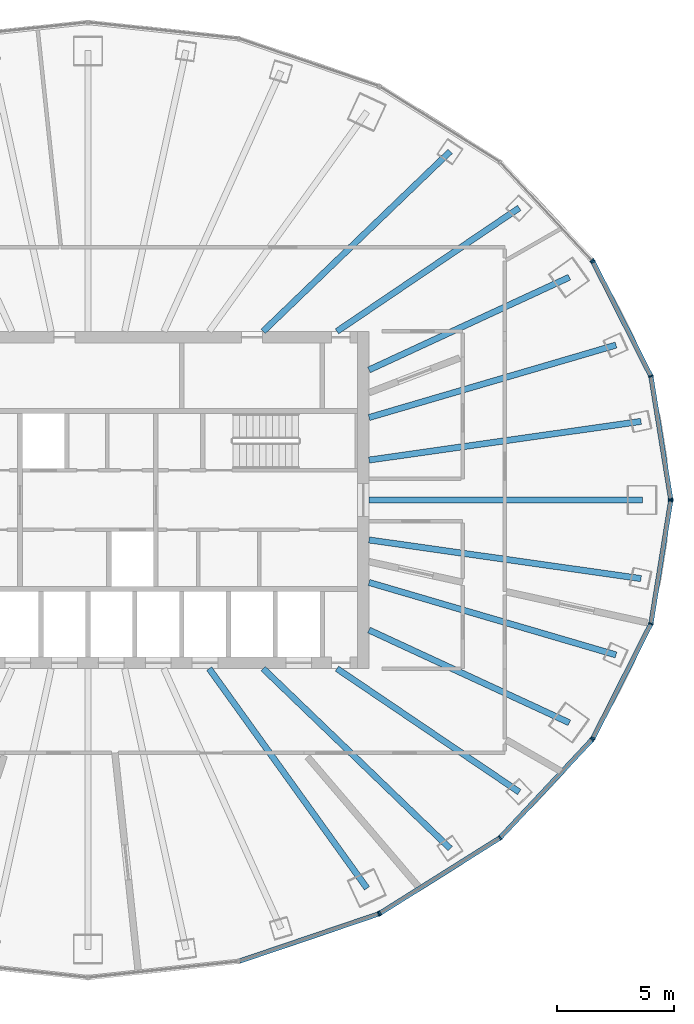
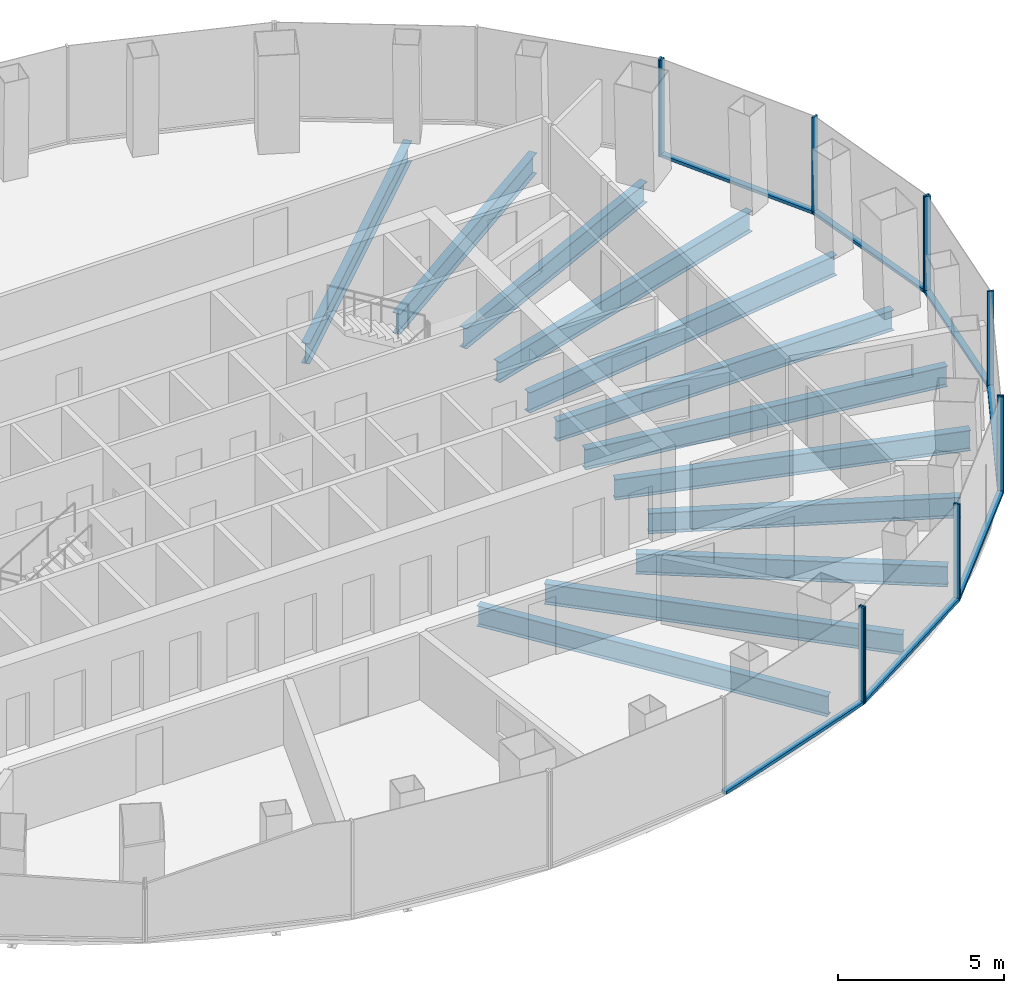
# One storey, part 4 of 12: 18 members, 12 beams, 5 elements without a shape of their own.
"""IFC4 building model written with IfcOpenShell, lengths in metres."""

from ifc_helpers import new_model, si_unit, direction, frame, origin, origin_2d, place, context, subcontext, project, spatial, rectangle, i_section, extrude, material, layer, layer_set, material_profile, profile_set, type_object, element, aggregate, save


model = new_model("IFC4")

# Units and contexts
model_context = context("Model", 3, precision=1e-05, world=origin(), true_north=direction((0.0, 1.0)))
body_context = subcontext(model_context, "Body", "Model", "MODEL_VIEW")
ifc_project = project(units=[si_unit("LENGTHUNIT", "METRE"), si_unit("AREAUNIT", "SQUARE_METRE"), si_unit("VOLUMEUNIT", "CUBIC_METRE"), si_unit("PLANEANGLEUNIT", "RADIAN"), si_unit("MASSUNIT", "GRAM", prefix="KILO")], contexts=[model_context])

# Site, building, storey
site_placement = place(None, origin())
site = spatial("IfcSite", under=ifc_project, at=site_placement, CompositionType="ELEMENT")
building_placement = place(site_placement, origin())
building = spatial("IfcBuilding", under=site, at=building_placement, Name="Siaravel Broadcast Tower", CompositionType="ELEMENT")
storey_placement = place(building_placement, frame((0.0, 0.0, 137.800048828125)))
storey = spatial("IfcBuildingStorey", under=building, at=storey_placement, Name="L33", CompositionType="ELEMENT", Elevation=137.800048828125)

# Beams
ifc_material_1 = material(Name="Steel S355", Category="steel")
ifc_material_profile_1 = material_profile(ifc_material_1, i_section(OverallWidth=0.26513671875, OverallDepth=0.75390625, WebThickness=0.0126953125, FlangeThickness=0.017578125, FilletRadius=0.0166015625, at=origin_2d()))
ifc_profile_set_1 = profile_set([ifc_material_profile_1], Name="Steel S355")
beam_type = type_object("IfcBeamType", Name="BM-UB 762x267x147", PredefinedType="BEAM", material=ifc_profile_set_1)
beam_1_placement = place(storey_placement, frame((23.6728515625, 0.0, -0.52685546875), z_axis=(-1.0, 0.0, 0.0), x_axis=(0.0, -1.0, 0.0)))
element("IfcBeam", 1, at=beam_1_placement, inside=storey, type_object=beam_type, Name="Radial beam RB01", PredefinedType="BEAM", context=body_context, shape_type="SweptSolid", body=[
    extrude(i_section(OverallWidth=0.26513671875, OverallDepth=0.75390625, WebThickness=0.0126953125, FlangeThickness=0.017578125, FilletRadius=0.0166015625, at=origin_2d()), origin(), (0.0, 0.0, 1.0), 11.6728515625),
])
beam_2_placement = place(storey_placement, frame((23.614501953125, 3.355224609375, -0.52685546875), z_axis=(-0.990057423, -0.140663782, 0.0), x_axis=(0.140663782, -0.990057423, 0.0)))
element("IfcBeam", 2, at=beam_2_placement, inside=storey, type_object=beam_type, Name="Radial beam RB02", PredefinedType="BEAM", context=body_context, shape_type="SweptSolid", body=[
    extrude(i_section(OverallWidth=0.26513671875, OverallDepth=0.75390625, WebThickness=0.0126953125, FlangeThickness=0.017578125, FilletRadius=0.0166015625, at=origin_2d()), origin(), (0.0, 0.0, 1.0), 11.731201171875),
])
beam_3_placement = place(storey_placement, frame((22.5478515625, 6.615478515625, -0.52685546875), z_axis=(-0.959552024, -0.281531373, 0.0), x_axis=(0.281531373, -0.959552024, 0.0)))
element("IfcBeam", 3, at=beam_3_placement, inside=storey, type_object=beam_type, Name="Radial beam RB03", PredefinedType="BEAM", context=body_context, shape_type="SweptSolid", body=[
    extrude(i_section(OverallWidth=0.26513671875, OverallDepth=0.75390625, WebThickness=0.0126953125, FlangeThickness=0.017578125, FilletRadius=0.0166015625, at=origin_2d()), origin(), (0.0, 0.0, 1.0), 10.992431640625),
])
beam_4_placement = place(storey_placement, frame((20.554931640625, 9.51220703125, -0.52685546875), z_axis=(-0.907532906, -0.419980982, 0.0), x_axis=(0.419980982, -0.907532906, 0.0)))
element("IfcBeam", 4, at=beam_4_placement, inside=storey, type_object=beam_type, Name="Radial beam RB04", PredefinedType="BEAM", context=body_context, shape_type="SweptSolid", body=[
    extrude(i_section(OverallWidth=0.26513671875, OverallDepth=0.75390625, WebThickness=0.0126953125, FlangeThickness=0.017578125, FilletRadius=0.0166015625, at=origin_2d()), origin(), (0.0, 0.0, 1.0), 9.426513671875),
])
beam_5_placement = place(storey_placement, frame((18.418212890625, 12.470947265625, -0.52685546875), z_axis=(-0.828033424, -0.56067874, 0.0), x_axis=(0.56067874, -0.828033424, 0.0)))
element("IfcBeam", 5, at=beam_5_placement, inside=storey, type_object=beam_type, Name="Radial beam RB05", PredefinedType="BEAM", context=body_context, shape_type="SweptSolid", body=[
    extrude(i_section(OverallWidth=0.26513671875, OverallDepth=0.75390625, WebThickness=0.0126953125, FlangeThickness=0.017578125, FilletRadius=0.0166015625, at=origin_2d()), origin(), (0.0, 0.0, 1.0), 9.401123046875),
])
beam_6_placement = place(storey_placement, frame((15.470703125, 14.885009765625, -0.52685546875), z_axis=(-0.720620137, -0.693330093, 0.0), x_axis=(0.693330093, -0.720620137, 0.0)))
element("IfcBeam", 6, at=beam_6_placement, inside=storey, type_object=beam_type, Name="Radial beam RB06", PredefinedType="BEAM", context=body_context, shape_type="SweptSolid", body=[
    extrude(i_section(OverallWidth=0.26513671875, OverallDepth=0.75390625, WebThickness=0.0126953125, FlangeThickness=0.017578125, FilletRadius=0.0166015625, at=origin_2d()), origin(), (0.0, 0.0, 1.0), 11.084228515625),
])
beam_7_placement = place(storey_placement, frame((11.916259765625, -16.578857421875, -0.52685546875), z_axis=(-0.583643017, 0.812010363, 0.0), x_axis=(-0.812010363, -0.583643017, 0.0)))
element("IfcBeam", 7, at=beam_7_placement, inside=storey, type_object=beam_type, Name="Radial beam RB31", PredefinedType="BEAM", context=body_context, shape_type="SweptSolid", body=[
    extrude(i_section(OverallWidth=0.26513671875, OverallDepth=0.75390625, WebThickness=0.0126953125, FlangeThickness=0.017578125, FilletRadius=0.0166015625, at=origin_2d()), origin(), (0.0, 0.0, 1.0), 11.55029296875),
])
beam_8_placement = place(storey_placement, frame((15.470703125, -14.885009765625, -0.52685546875), z_axis=(-0.720620137, 0.693330093, 0.0), x_axis=(-0.693330093, -0.720620137, 0.0)))
element("IfcBeam", 8, at=beam_8_placement, inside=storey, type_object=beam_type, Name="Radial beam RB32", PredefinedType="BEAM", context=body_context, shape_type="SweptSolid", body=[
    extrude(i_section(OverallWidth=0.26513671875, OverallDepth=0.75390625, WebThickness=0.0126953125, FlangeThickness=0.017578125, FilletRadius=0.0166015625, at=origin_2d()), origin(), (0.0, 0.0, 1.0), 11.084228515625),
])
beam_9_placement = place(storey_placement, frame((18.418212890625, -12.470947265625, -0.52685546875), z_axis=(-0.828033424, 0.56067874, 0.0), x_axis=(-0.56067874, -0.828033424, 0.0)))
element("IfcBeam", 9, at=beam_9_placement, inside=storey, type_object=beam_type, Name="Radial beam RB33", PredefinedType="BEAM", context=body_context, shape_type="SweptSolid", body=[
    extrude(i_section(OverallWidth=0.26513671875, OverallDepth=0.75390625, WebThickness=0.0126953125, FlangeThickness=0.017578125, FilletRadius=0.0166015625, at=origin_2d()), origin(), (0.0, 0.0, 1.0), 9.401123046875),
])
beam_10_placement = place(storey_placement, frame((20.554931640625, -9.51220703125, -0.52685546875), z_axis=(-0.907532906, 0.419980982, 0.0), x_axis=(-0.419980982, -0.907532906, 0.0)))
element("IfcBeam", 10, at=beam_10_placement, inside=storey, type_object=beam_type, Name="Radial beam RB34", PredefinedType="BEAM", context=body_context, shape_type="SweptSolid", body=[
    extrude(i_section(OverallWidth=0.26513671875, OverallDepth=0.75390625, WebThickness=0.0126953125, FlangeThickness=0.017578125, FilletRadius=0.0166015625, at=origin_2d()), origin(), (0.0, 0.0, 1.0), 9.426513671875),
])
beam_11_placement = place(storey_placement, frame((22.5478515625, -6.615478515625, -0.52685546875), z_axis=(-0.959552024, 0.281531373, 0.0), x_axis=(-0.281531373, -0.959552024, 0.0)))
element("IfcBeam", 11, at=beam_11_placement, inside=storey, type_object=beam_type, Name="Radial beam RB35", PredefinedType="BEAM", context=body_context, shape_type="SweptSolid", body=[
    extrude(i_section(OverallWidth=0.26513671875, OverallDepth=0.75390625, WebThickness=0.0126953125, FlangeThickness=0.017578125, FilletRadius=0.0166015625, at=origin_2d()), origin(), (0.0, 0.0, 1.0), 10.992431640625),
])
beam_12_placement = place(storey_placement, frame((23.614501953125, -3.355224609375, -0.52685546875), z_axis=(-0.990057423, 0.140663782, 0.0), x_axis=(-0.140663782, -0.990057423, 0.0)))
element("IfcBeam", 12, at=beam_12_placement, inside=storey, type_object=beam_type, Name="Radial beam RB36", PredefinedType="BEAM", context=body_context, shape_type="SweptSolid", body=[
    extrude(i_section(OverallWidth=0.26513671875, OverallDepth=0.75390625, WebThickness=0.0126953125, FlangeThickness=0.017578125, FilletRadius=0.0166015625, at=origin_2d()), origin(), (0.0, 0.0, 1.0), 11.731201171875),
])

# Curtain wall, members
ifc_material_2 = material(Name="Aluminium 6063-T6", Category="aluminium")
ifc_layer = layer(ifc_material_2, 0.199951171875)
ifc_layer_set = layer_set([ifc_layer], Name="Aluminium 6063-T6")
curtain_wall_type = type_object("IfcCurtainWallType", Name="Unitised curtain wall, zone 2", PredefinedType="NOTDEFINED", material=ifc_layer_set)
curtain_wall_1_placement = place(storey_placement, origin())
curtain_wall_1 = element("IfcCurtainWall", 13, at=curtain_wall_1_placement, inside=storey, type_object=curtain_wall_type, Name="L33 Unitised curtain wall, zone 2 01", PredefinedType="NOTDEFINED")
ifc_material_profile_2 = material_profile(ifc_material_2, rectangle(XDim=0.199951171875, YDim=0.06494140625, at=origin_2d()))
ifc_profile_set_2 = profile_set([ifc_material_profile_2], Name="Aluminium 6063-T6")
member_type_1 = type_object("IfcMemberType", Name="CW-Z2 mullion", PredefinedType="MULLION", material=ifc_profile_set_2)
member_1_placement = place(storey_placement, frame((24.881591796875, 0.031982421875, 0.0), z_axis=(0.0, 0.0, 1.0), x_axis=(-0.987329298, -0.158684773, 0.0)))
member_1 = element("IfcMember", 14, at=member_1_placement, type_object=member_type_1, Name="CW-Z2 mullion 1", PredefinedType="MULLION", context=body_context, shape_type="SweptSolid", body=[
    extrude(rectangle(XDim=0.199951171875, YDim=0.06494140625, at=origin_2d()), origin(), (0.0, 0.0, 1.0), 3.550048828125),
])
member_2_placement = place(storey_placement, frame((24.0380859375, 5.281005859375, 0.0), z_axis=(0.0, 0.0, 1.0), x_axis=(-0.951177626, -0.308644007, 0.0)))
member_2 = element("IfcMember", 15, at=member_2_placement, type_object=member_type_1, Name="CW-Z2 mullion 2", PredefinedType="MULLION", context=body_context, shape_type="SweptSolid", body=[
    extrude(rectangle(XDim=0.199951171875, YDim=0.06494140625, at=origin_2d()), origin(), (0.0, 0.0, 1.0), 3.550048828125),
])
member_3_placement = place(storey_placement, frame((21.56494140625, 10.172119140625, 0.0), z_axis=(0.0, 0.0, 1.0), x_axis=(-0.892392954, -0.451259145, 0.0)))
member_3 = element("IfcMember", 16, at=member_3_placement, type_object=member_type_1, Name="CW-Z2 mullion 3", PredefinedType="MULLION", context=body_context, shape_type="SweptSolid", body=[
    extrude(rectangle(XDim=0.199951171875, YDim=0.06494140625, at=origin_2d()), origin(), (0.0, 0.0, 1.0), 3.550048828125),
])

# Curtain wall, member
curtain_wall_2_placement = place(storey_placement, origin())
curtain_wall_2 = element("IfcCurtainWall", 17, at=curtain_wall_2_placement, inside=storey, type_object=curtain_wall_type, Name="L33 Unitised curtain wall, zone 2 02", PredefinedType="NOTDEFINED")
member_4_placement = place(storey_placement, frame((21.528076171875, 10.224609375, 0.0), z_axis=(0.0, 0.0, 1.0), x_axis=(-0.729806913, -0.683653326, 0.0)))
member_4 = element("IfcMember", 18, at=member_4_placement, type_object=member_type_1, Name="CW-Z2 mullion 1", PredefinedType="MULLION", context=body_context, shape_type="SweptSolid", body=[
    extrude(rectangle(XDim=0.199951171875, YDim=0.06494140625, at=origin_2d()), origin(), (0.0, 0.0, 1.0), 3.550048828125),
])
aggregate(curtain_wall_2, [member_4])

curtain_wall_3_placement = place(storey_placement, origin())
curtain_wall_3 = element("IfcCurtainWall", 19, at=curtain_wall_3_placement, inside=storey, type_object=curtain_wall_type, Name="L33 Unitised curtain wall, zone 2 10", PredefinedType="NOTDEFINED")
member_5_placement = place(storey_placement, frame((12.408935546875, -17.67431640625, 0.0), z_axis=(0.0, 0.0, 1.0), x_axis=(-0.321302097, 0.946976749, 0.0)))
member_5 = element("IfcMember", 20, at=member_5_placement, type_object=member_type_1, Name="CW-Z2 mullion 3", PredefinedType="MULLION", context=body_context, shape_type="SweptSolid", body=[
    extrude(rectangle(XDim=0.199951171875, YDim=0.06494140625, at=origin_2d()), origin(), (0.0, 0.0, 1.0), 3.550048828125),
])

# Curtain wall, members
curtain_wall_4_placement = place(storey_placement, origin())
curtain_wall_4 = element("IfcCurtainWall", 21, at=curtain_wall_4_placement, inside=storey, type_object=curtain_wall_type, Name="L33 Unitised curtain wall, zone 2 11", PredefinedType="NOTDEFINED")
member_6_placement = place(storey_placement, frame((12.46728515625, -17.646484375, 0.0), z_axis=(0.0, 0.0, 1.0), x_axis=(-0.532151141, 0.846649374, 0.0)))
member_6 = element("IfcMember", 22, at=member_6_placement, type_object=member_type_1, Name="CW-Z2 mullion 1", PredefinedType="MULLION", context=body_context, shape_type="SweptSolid", body=[
    extrude(rectangle(XDim=0.199951171875, YDim=0.06494140625, at=origin_2d()), origin(), (0.0, 0.0, 1.0), 3.550048828125),
])
member_7_placement = place(storey_placement, frame((17.593994140625, -14.42431640625, 0.0), z_axis=(0.0, 0.0, 1.0), x_axis=(-0.63622045, 0.771507317, 0.0)))
member_7 = element("IfcMember", 23, at=member_7_placement, type_object=member_type_1, Name="CW-Z2 mullion 2", PredefinedType="MULLION", context=body_context, shape_type="SweptSolid", body=[
    extrude(rectangle(XDim=0.199951171875, YDim=0.06494140625, at=origin_2d()), origin(), (0.0, 0.0, 1.0), 3.550048828125),
])
member_8_placement = place(storey_placement, frame((21.528076171875, -10.224609375, 0.0), z_axis=(0.0, 0.0, 1.0), x_axis=(-0.729806913, 0.683653326, 0.0)))
member_8 = element("IfcMember", 24, at=member_8_placement, type_object=member_type_1, Name="CW-Z2 mullion 3", PredefinedType="MULLION", context=body_context, shape_type="SweptSolid", body=[
    extrude(rectangle(XDim=0.199951171875, YDim=0.06494140625, at=origin_2d()), origin(), (0.0, 0.0, 1.0), 3.550048828125),
])

curtain_wall_5_placement = place(storey_placement, origin())
curtain_wall_5 = element("IfcCurtainWall", 25, at=curtain_wall_5_placement, inside=storey, type_object=curtain_wall_type, Name="L33 Unitised curtain wall, zone 2 12", PredefinedType="NOTDEFINED")
member_9_placement = place(storey_placement, frame((21.56494140625, -10.172119140625, 0.0), z_axis=(0.0, 0.0, 1.0), x_axis=(-0.892392954, 0.451259145, 0.0)))
member_9 = element("IfcMember", 26, at=member_9_placement, type_object=member_type_1, Name="CW-Z2 mullion 1", PredefinedType="MULLION", context=body_context, shape_type="SweptSolid", body=[
    extrude(rectangle(XDim=0.199951171875, YDim=0.06494140625, at=origin_2d()), origin(), (0.0, 0.0, 1.0), 3.550048828125),
])
member_10_placement = place(storey_placement, frame((24.0380859375, -5.281005859375, 0.0), z_axis=(0.0, 0.0, 1.0), x_axis=(-0.951177626, 0.308644007, 0.0)))
member_10 = element("IfcMember", 27, at=member_10_placement, type_object=member_type_1, Name="CW-Z2 mullion 2", PredefinedType="MULLION", context=body_context, shape_type="SweptSolid", body=[
    extrude(rectangle(XDim=0.199951171875, YDim=0.06494140625, at=origin_2d()), origin(), (0.0, 0.0, 1.0), 3.550048828125),
])
member_11_placement = place(storey_placement, frame((24.881591796875, -0.031982421875, 0.0), z_axis=(0.0, 0.0, 1.0), x_axis=(-0.987329298, 0.158684773, 0.0)))
member_11 = element("IfcMember", 28, at=member_11_placement, type_object=member_type_1, Name="CW-Z2 mullion 3", PredefinedType="MULLION", context=body_context, shape_type="SweptSolid", body=[
    extrude(rectangle(XDim=0.199951171875, YDim=0.06494140625, at=origin_2d()), origin(), (0.0, 0.0, 1.0), 3.550048828125),
])

# Member
ifc_material_profile_3 = material_profile(ifc_material_2, rectangle(XDim=0.199951171875, YDim=0.110107421875, at=origin_2d()))
ifc_profile_set_3 = profile_set([ifc_material_profile_3], Name="Aluminium 6063-T6")
member_type_2 = type_object("IfcMemberType", Name="CW-Z2 transom", PredefinedType="USERDEFINED", material=ifc_profile_set_3)
member_12_placement = place(storey_placement, frame((24.876708984375, 0.064208984375, 0.054931640625), z_axis=(-0.158726655, 0.987322566, 0.0), x_axis=(-0.987322566, -0.158726655, 0.0)))
member_12 = element("IfcMember", 29, at=member_12_placement, type_object=member_type_2, Name="CW-Z2 transom 1", ObjectType="TRANSOM", PredefinedType="USERDEFINED", context=body_context, shape_type="SweptSolid", body=[
    extrude(rectangle(XDim=0.199951171875, YDim=0.110107421875, at=origin_2d()), origin(), (0.0, 0.0, 1.0), 5.251220703125),
])

member_13_placement = place(storey_placement, frame((24.0234375, 5.31005859375, 0.054931640625), z_axis=(-0.45124818, 0.892398498, 0.0), x_axis=(-0.892398498, -0.45124818, 0.0)))
member_13 = element("IfcMember", 30, at=member_13_placement, type_object=member_type_2, Name="CW-Z2 transom 2", ObjectType="TRANSOM", PredefinedType="USERDEFINED", context=body_context, shape_type="SweptSolid", body=[
    extrude(rectangle(XDim=0.199951171875, YDim=0.110107421875, at=origin_2d()), origin(), (0.0, 0.0, 1.0), 5.415771484375),
])

aggregate(curtain_wall_1, [member_1, member_2, member_3, member_12, member_13])

member_14_placement = place(storey_placement, frame((6.4697265625, -19.689453125, 0.054931640625), z_axis=(0.946983377, 0.32128256, 0.0), x_axis=(-0.32128256, 0.946983377, 0.0)))
member_14 = element("IfcMember", 31, at=member_14_placement, type_object=member_type_2, Name="CW-Z2 transom 2", ObjectType="TRANSOM", PredefinedType="USERDEFINED", context=body_context, shape_type="SweptSolid", body=[
    extrude(rectangle(XDim=0.199951171875, YDim=0.110107421875, at=origin_2d()), origin(), (0.0, 0.0, 1.0), 6.239501953125),
])

aggregate(curtain_wall_3, [member_5, member_14])

member_15_placement = place(storey_placement, frame((12.494873046875, -17.62939453125, 0.054931640625), z_axis=(0.84664232, 0.532162364, 0.0), x_axis=(-0.532162364, 0.84664232, 0.0)))
member_15 = element("IfcMember", 32, at=member_15_placement, type_object=member_type_2, Name="CW-Z2 transom 1", ObjectType="TRANSOM", PredefinedType="USERDEFINED", context=body_context, shape_type="SweptSolid", body=[
    extrude(rectangle(XDim=0.199951171875, YDim=0.110107421875, at=origin_2d()), origin(), (0.0, 0.0, 1.0), 5.990234375),
])

member_16_placement = place(storey_placement, frame((17.6162109375, -14.400634765625, 0.054931640625), z_axis=(0.683644181, 0.72981548, 0.0), x_axis=(-0.72981548, 0.683644181, 0.0)))
member_16 = element("IfcMember", 33, at=member_16_placement, type_object=member_type_2, Name="CW-Z2 transom 2", ObjectType="TRANSOM", PredefinedType="USERDEFINED", context=body_context, shape_type="SweptSolid", body=[
    extrude(rectangle(XDim=0.199951171875, YDim=0.110107421875, at=origin_2d()), origin(), (0.0, 0.0, 1.0), 5.689697265625),
])

aggregate(curtain_wall_4, [member_6, member_7, member_8, member_15, member_16])

member_17_placement = place(storey_placement, frame((21.57958984375, -10.14306640625, 0.054931640625), z_axis=(0.45124818, 0.892398498, 0.0), x_axis=(-0.892398498, 0.45124818, 0.0)))
member_17 = element("IfcMember", 34, at=member_17_placement, type_object=member_type_2, Name="CW-Z2 transom 1", ObjectType="TRANSOM", PredefinedType="USERDEFINED", context=body_context, shape_type="SweptSolid", body=[
    extrude(rectangle(XDim=0.199951171875, YDim=0.110107421875, at=origin_2d()), origin(), (0.0, 0.0, 1.0), 5.415771484375),
])

member_18_placement = place(storey_placement, frame((24.043212890625, -5.248779296875, 0.054931640625), z_axis=(0.158726655, 0.987322566, 0.0), x_axis=(-0.987322566, 0.158726655, 0.0)))
member_18 = element("IfcMember", 35, at=member_18_placement, type_object=member_type_2, Name="CW-Z2 transom 2", ObjectType="TRANSOM", PredefinedType="USERDEFINED", context=body_context, shape_type="SweptSolid", body=[
    extrude(rectangle(XDim=0.199951171875, YDim=0.110107421875, at=origin_2d()), origin(), (0.0, 0.0, 1.0), 5.251220703125),
])

aggregate(curtain_wall_5, [member_9, member_10, member_11, member_17, member_18])

save(model, "model.ifc")
